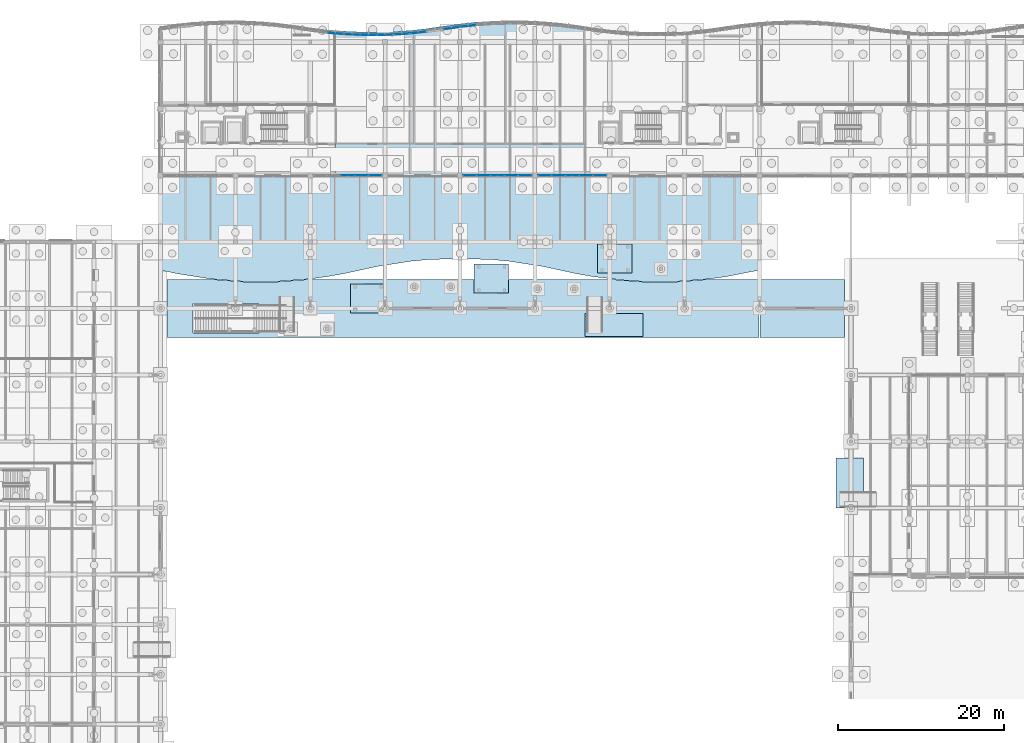
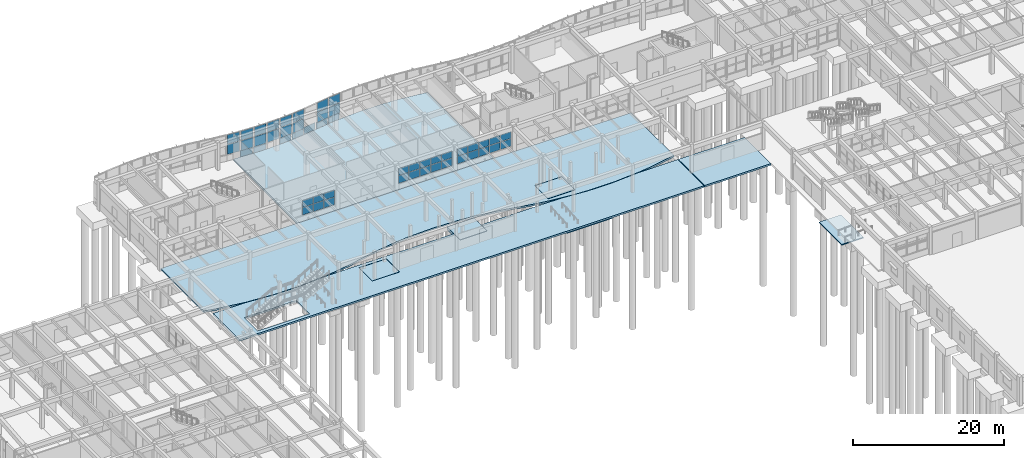
# One storey, part 55 of 99: 49 plates, 9 slabs, 11 elements without a shape of their own.
"""IFC4 building model written with IfcOpenShell, lengths in metres."""

from ifc_helpers import new_model, si_unit, direction, frame, origin, origin_2d, place, context, subcontext, project, spatial, polyline, rectangle, outline, extrude, material, layer, layer_set, type_object, element, aggregate, save


model = new_model("IFC4")

# Units and contexts
model_context = context("Model", 3, precision=1e-05, world=origin(), true_north=direction((0.0, 1.0)))
body_context = subcontext(model_context, "Body", "Model", "MODEL_VIEW")
ifc_project = project(units=[si_unit("LENGTHUNIT", "METRE"), si_unit("AREAUNIT", "SQUARE_METRE"), si_unit("VOLUMEUNIT", "CUBIC_METRE"), si_unit("PLANEANGLEUNIT", "RADIAN"), si_unit("MASSUNIT", "GRAM", prefix="KILO")], contexts=[model_context])

# Site, building, storey
site_placement = place(None, origin())
site = spatial("IfcSite", under=ifc_project, at=site_placement, CompositionType="ELEMENT")
building_placement = place(site_placement, origin())
building = spatial("IfcBuilding", under=site, at=building_placement, Name="Tonlespit Floodbar School", CompositionType="ELEMENT")
storey_placement = place(building_placement, origin())
storey = spatial("IfcBuildingStorey", under=building, at=storey_placement, Name="L00", CompositionType="ELEMENT", Elevation=0.0)

# Curtain wall, plates
ifc_material_1 = material(Name="Anodised Aluminium", Category="aluminium")
ifc_layer_1 = layer(ifc_material_1, 0.159912109375)
ifc_layer_set_1 = layer_set([ifc_layer_1], Name="Anodised Aluminium")
curtain_wall_type_1 = type_object("IfcCurtainWallType", Name="CurtainWall_1900x3300", PredefinedType="NOTDEFINED", material=ifc_layer_set_1)
curtain_wall_1_placement = place(storey_placement, origin())
curtain_wall_1 = element("IfcCurtainWall", 1, at=curtain_wall_1_placement, inside=storey, type_object=curtain_wall_type_1, Name="L00 unitised curtain wall 0013", PredefinedType="NOTDEFINED")
ifc_material_2 = material(Name="Laminated Low-E Glass", Category="glass")
ifc_layer_2 = layer(ifc_material_2, 0.028076171875)
ifc_layer_set_2 = layer_set([ifc_layer_2], Name="Laminated Low-E Glass")
plate_type_1 = type_object("IfcPlateType", Name="CW_Panel_Glaz_28", PredefinedType="CURTAIN_PANEL", material=ifc_layer_set_2)
plate_1_placement = place(storey_placement, frame((71.0, 120.8818359375, 1.014892578125), z_axis=(0.0, 0.0, 1.0), x_axis=(0.999585477883, 0.028790144226, 0.0)))
plate_1 = element("IfcPlate", 2, at=plate_1_placement, type_object=plate_type_1, Name="CW-02 panel 1.1", PredefinedType="CURTAIN_PANEL", context=body_context, shape_type="SweptSolid", body=[
    extrude(rectangle(XDim=1.790771484375, YDim=0.028076171875, at=origin_2d()), origin(), (0.0, 0.0, 1.0), 1.61328125),
])
plate_2_placement = place(storey_placement, frame((71.0, 120.8818359375, 2.693359375), z_axis=(0.0, 0.0, 1.0), x_axis=(0.999585477883, 0.028790144226, 0.0)))
plate_2 = element("IfcPlate", 3, at=plate_2_placement, type_object=plate_type_1, Name="CW-02 panel 1.2", PredefinedType="CURTAIN_PANEL", context=body_context, shape_type="SweptSolid", body=[
    extrude(rectangle(XDim=1.790771484375, YDim=0.028076171875, at=origin_2d()), origin(), (0.0, 0.0, 1.0), 1.481689453125),
])
aggregate(curtain_wall_1, [plate_1, plate_2])

ifc_layer_3 = layer(ifc_material_1, 0.159912109375)
ifc_layer_set_3 = layer_set([ifc_layer_3], Name="Anodised Aluminium")
curtain_wall_type_2 = type_object("IfcCurtainWallType", Name="CurtainWall_1950x3300", PredefinedType="NOTDEFINED", material=ifc_layer_set_3)
curtain_wall_2_placement = place(storey_placement, origin())
curtain_wall_2 = element("IfcCurtainWall", 4, at=curtain_wall_2_placement, inside=storey, type_object=curtain_wall_type_2, Name="L00 unitised curtain wall 0017", PredefinedType="NOTDEFINED")
plate_3_placement = place(storey_placement, frame((81.0, 121.947998046875, 1.014892578125), z_axis=(0.0, 0.0, 1.0), x_axis=(0.994388797288, 0.105787143968, 0.0)))
plate_3 = element("IfcPlate", 5, at=plate_3_placement, type_object=plate_type_1, Name="CW-01 panel 1.1", PredefinedType="CURTAIN_PANEL", context=body_context, shape_type="SweptSolid", body=[
    extrude(rectangle(XDim=1.80126953125, YDim=0.028076171875, at=origin_2d()), origin(), (0.0, 0.0, 1.0), 1.61328125),
])
plate_4_placement = place(storey_placement, frame((81.0, 121.947998046875, 2.693359375), z_axis=(0.0, 0.0, 1.0), x_axis=(0.994388797288, 0.105787143968, 0.0)))
plate_4 = element("IfcPlate", 6, at=plate_4_placement, type_object=plate_type_1, Name="CW-01 panel 1.2", PredefinedType="CURTAIN_PANEL", context=body_context, shape_type="SweptSolid", body=[
    extrude(rectangle(XDim=1.80126953125, YDim=0.028076171875, at=origin_2d()), origin(), (0.0, 0.0, 1.0), 1.481689453125),
])
aggregate(curtain_wall_2, [plate_3, plate_4])

ifc_layer_4 = layer(ifc_material_1, 0.159912109375)
ifc_layer_set_4 = layer_set([ifc_layer_4], Name="Anodised Aluminium")
curtain_wall_type_3 = type_object("IfcCurtainWallType", Name="CurtainWall_8300x2500", PredefinedType="NOTDEFINED", material=ifc_layer_set_4)
curtain_wall_3_placement = place(storey_placement, origin())
curtain_wall_3 = element("IfcCurtainWall", 7, at=curtain_wall_3_placement, inside=storey, type_object=curtain_wall_type_3, Name="L00 unitised curtain wall 0037", PredefinedType="NOTDEFINED")
plate_5_placement = place(storey_placement, frame((87.811767578125, 104.0, 1.01513671875), z_axis=(0.0, 0.0, 1.0), x_axis=(-1.0, 0.0, 0.0)))
plate_5 = element("IfcPlate", 8, at=plate_5_placement, type_object=plate_type_1, Name="CW-03 panel 1.1", PredefinedType="CURTAIN_PANEL", context=body_context, shape_type="SweptSolid", body=[
    extrude(rectangle(XDim=1.56640625, YDim=0.028076171875, at=origin_2d()), origin(), (0.0, 0.0, 1.0), 1.197265625),
])
plate_6_placement = place(storey_placement, frame((87.811767578125, 104.0, 2.27734375), z_axis=(0.0, 0.0, 1.0), x_axis=(-1.0, 0.0, 0.0)))
plate_6 = element("IfcPlate", 9, at=plate_6_placement, type_object=plate_type_1, Name="CW-03 panel 1.2", PredefinedType="CURTAIN_PANEL", context=body_context, shape_type="SweptSolid", body=[
    extrude(rectangle(XDim=1.56640625, YDim=0.028076171875, at=origin_2d()), origin(), (0.0, 0.0, 1.0), 1.09765625),
])
plate_7_placement = place(storey_placement, frame((86.1640625, 104.0, 1.01513671875), z_axis=(0.0, 0.0, 1.0), x_axis=(-1.0, 0.0, 0.0)))
plate_7 = element("IfcPlate", 10, at=plate_7_placement, type_object=plate_type_1, Name="CW-03 panel 2.1", PredefinedType="CURTAIN_PANEL", context=body_context, shape_type="SweptSolid", body=[
    extrude(rectangle(XDim=1.59912109375, YDim=0.028076171875, at=origin_2d()), origin(), (0.0, 0.0, 1.0), 1.197265625),
])
plate_8_placement = place(storey_placement, frame((86.1640625, 104.0, 2.27734375), z_axis=(0.0, 0.0, 1.0), x_axis=(-1.0, 0.0, 0.0)))
plate_8 = element("IfcPlate", 11, at=plate_8_placement, type_object=plate_type_1, Name="CW-03 panel 2.2", PredefinedType="CURTAIN_PANEL", context=body_context, shape_type="SweptSolid", body=[
    extrude(rectangle(XDim=1.59912109375, YDim=0.028076171875, at=origin_2d()), origin(), (0.0, 0.0, 1.0), 1.09765625),
])
plate_9_placement = place(storey_placement, frame((84.5, 104.0, 1.01513671875), z_axis=(0.0, 0.0, 1.0), x_axis=(-1.0, 0.0, 0.0)))
plate_9 = element("IfcPlate", 12, at=plate_9_placement, type_object=plate_type_1, Name="CW-03 panel 3.1", PredefinedType="CURTAIN_PANEL", context=body_context, shape_type="SweptSolid", body=[
    extrude(rectangle(XDim=1.59912109375, YDim=0.028076171875, at=origin_2d()), origin(), (0.0, 0.0, 1.0), 1.197265625),
])
plate_10_placement = place(storey_placement, frame((84.5, 104.0, 2.27734375), z_axis=(0.0, 0.0, 1.0), x_axis=(-1.0, 0.0, 0.0)))
plate_10 = element("IfcPlate", 13, at=plate_10_placement, type_object=plate_type_1, Name="CW-03 panel 3.2", PredefinedType="CURTAIN_PANEL", context=body_context, shape_type="SweptSolid", body=[
    extrude(rectangle(XDim=1.59912109375, YDim=0.028076171875, at=origin_2d()), origin(), (0.0, 0.0, 1.0), 1.09765625),
])
plate_11_placement = place(storey_placement, frame((82.8359375, 104.0, 1.01513671875), z_axis=(0.0, 0.0, 1.0), x_axis=(-1.0, 0.0, 0.0)))
plate_11 = element("IfcPlate", 14, at=plate_11_placement, type_object=plate_type_1, Name="CW-03 panel 4.1", PredefinedType="CURTAIN_PANEL", context=body_context, shape_type="SweptSolid", body=[
    extrude(rectangle(XDim=1.59912109375, YDim=0.028076171875, at=origin_2d()), origin(), (0.0, 0.0, 1.0), 1.197265625),
])
plate_12_placement = place(storey_placement, frame((82.8359375, 104.0, 2.27734375), z_axis=(0.0, 0.0, 1.0), x_axis=(-1.0, 0.0, 0.0)))
plate_12 = element("IfcPlate", 15, at=plate_12_placement, type_object=plate_type_1, Name="CW-03 panel 4.2", PredefinedType="CURTAIN_PANEL", context=body_context, shape_type="SweptSolid", body=[
    extrude(rectangle(XDim=1.59912109375, YDim=0.028076171875, at=origin_2d()), origin(), (0.0, 0.0, 1.0), 1.09765625),
])
plate_13_placement = place(storey_placement, frame((81.188232421875, 104.0, 1.01513671875), z_axis=(0.0, 0.0, 1.0), x_axis=(-1.0, 0.0, 0.0)))
plate_13 = element("IfcPlate", 16, at=plate_13_placement, type_object=plate_type_1, Name="CW-03 panel 5.1", PredefinedType="CURTAIN_PANEL", context=body_context, shape_type="SweptSolid", body=[
    extrude(rectangle(XDim=1.56640625, YDim=0.028076171875, at=origin_2d()), origin(), (0.0, 0.0, 1.0), 1.197265625),
])
plate_14_placement = place(storey_placement, frame((81.188232421875, 104.0, 2.27734375), z_axis=(0.0, 0.0, 1.0), x_axis=(-1.0, 0.0, 0.0)))
plate_14 = element("IfcPlate", 17, at=plate_14_placement, type_object=plate_type_1, Name="CW-03 panel 5.2", PredefinedType="CURTAIN_PANEL", context=body_context, shape_type="SweptSolid", body=[
    extrude(rectangle(XDim=1.56640625, YDim=0.028076171875, at=origin_2d()), origin(), (0.0, 0.0, 1.0), 1.09765625),
])
aggregate(curtain_wall_3, [plate_5, plate_6, plate_7, plate_8, plate_9, plate_10, plate_11, plate_12, plate_13, plate_14])

curtain_wall_4_placement = place(storey_placement, origin())
curtain_wall_4 = element("IfcCurtainWall", 18, at=curtain_wall_4_placement, inside=storey, type_object=curtain_wall_type_2, Name="L00 unitised curtain wall 0010", PredefinedType="NOTDEFINED")
ifc_layer_5 = layer(ifc_material_2, 0.031982421875)
ifc_layer_set_5 = layer_set([ifc_layer_5], Name="Laminated Low-E Glass")
plate_type_2 = type_object("IfcPlateType", Name="CW_Panel_Glaz_32", PredefinedType="CURTAIN_PANEL", material=ifc_layer_set_5)
plate_15_placement = place(storey_placement, frame((65.0, 121.055419921875, 1.014892578125), z_axis=(0.0, 0.0, 1.0), x_axis=(0.996249148412, -0.086531117454, 0.0)))
plate_15 = element("IfcPlate", 19, at=plate_15_placement, type_object=plate_type_2, Name="CW-01 panel 1.1", PredefinedType="CURTAIN_PANEL", context=body_context, shape_type="SweptSolid", body=[
    extrude(rectangle(XDim=1.797607421875, YDim=0.031982421875, at=origin_2d()), origin(), (0.0, 0.0, 1.0), 1.61328125),
])
plate_16_placement = place(storey_placement, frame((65.0, 121.055419921875, 2.693359375), z_axis=(0.0, 0.0, 1.0), x_axis=(0.996249148412, -0.086531117454, 0.0)))
plate_16 = element("IfcPlate", 20, at=plate_16_placement, type_object=plate_type_2, Name="CW-01 panel 1.2", PredefinedType="CURTAIN_PANEL", context=body_context, shape_type="SweptSolid", body=[
    extrude(rectangle(XDim=1.797607421875, YDim=0.031982421875, at=origin_2d()), origin(), (0.0, 0.0, 1.0), 1.481689453125),
])
aggregate(curtain_wall_4, [plate_15, plate_16])

curtain_wall_5_placement = place(storey_placement, origin())
curtain_wall_5 = element("IfcCurtainWall", 21, at=curtain_wall_5_placement, inside=storey, type_object=curtain_wall_type_1, Name="L00 unitised curtain wall 0014", PredefinedType="NOTDEFINED")
plate_17_placement = place(storey_placement, frame((73.0, 120.978271484375, 1.014892578125), z_axis=(0.0, 0.0, 1.0), x_axis=(0.99773010165, 0.067339767311, 0.0)))
plate_17 = element("IfcPlate", 22, at=plate_17_placement, type_object=plate_type_2, Name="CW-02 panel 1.1", PredefinedType="CURTAIN_PANEL", context=body_context, shape_type="SweptSolid", body=[
    extrude(rectangle(XDim=1.794677734375, YDim=0.031982421875, at=origin_2d()), origin(), (0.0, 0.0, 1.0), 1.61328125),
])
plate_18_placement = place(storey_placement, frame((73.0, 120.978271484375, 2.693359375), z_axis=(0.0, 0.0, 1.0), x_axis=(0.99773010165, 0.067339767311, 0.0)))
plate_18 = element("IfcPlate", 23, at=plate_18_placement, type_object=plate_type_2, Name="CW-02 panel 1.2", PredefinedType="CURTAIN_PANEL", context=body_context, shape_type="SweptSolid", body=[
    extrude(rectangle(XDim=1.794677734375, YDim=0.031982421875, at=origin_2d()), origin(), (0.0, 0.0, 1.0), 1.481689453125),
])
aggregate(curtain_wall_5, [plate_17, plate_18])

curtain_wall_6_placement = place(storey_placement, origin())
curtain_wall_6 = element("IfcCurtainWall", 24, at=curtain_wall_6_placement, inside=storey, type_object=curtain_wall_type_3, Name="L00 unitised curtain wall 0038", PredefinedType="NOTDEFINED")
plate_19_placement = place(storey_placement, frame((69.811767578125, 104.0, 1.01513671875), z_axis=(0.0, 0.0, 1.0), x_axis=(-1.0, 0.0, 0.0)))
plate_19 = element("IfcPlate", 25, at=plate_19_placement, type_object=plate_type_2, Name="CW-03 panel 1.1", PredefinedType="CURTAIN_PANEL", context=body_context, shape_type="SweptSolid", body=[
    extrude(rectangle(XDim=1.56640625, YDim=0.031982421875, at=origin_2d()), origin(), (0.0, 0.0, 1.0), 1.197265625),
])
plate_20_placement = place(storey_placement, frame((69.811767578125, 104.0, 2.27734375), z_axis=(0.0, 0.0, 1.0), x_axis=(-1.0, 0.0, 0.0)))
plate_20 = element("IfcPlate", 26, at=plate_20_placement, type_object=plate_type_2, Name="CW-03 panel 1.2", PredefinedType="CURTAIN_PANEL", context=body_context, shape_type="SweptSolid", body=[
    extrude(rectangle(XDim=1.56640625, YDim=0.031982421875, at=origin_2d()), origin(), (0.0, 0.0, 1.0), 1.09765625),
])
plate_21_placement = place(storey_placement, frame((68.1640625, 104.0, 1.01513671875), z_axis=(0.0, 0.0, 1.0), x_axis=(-1.0, 0.0, 0.0)))
plate_21 = element("IfcPlate", 27, at=plate_21_placement, type_object=plate_type_2, Name="CW-03 panel 2.1", PredefinedType="CURTAIN_PANEL", context=body_context, shape_type="SweptSolid", body=[
    extrude(rectangle(XDim=1.59912109375, YDim=0.031982421875, at=origin_2d()), origin(), (0.0, 0.0, 1.0), 1.197265625),
])
plate_22_placement = place(storey_placement, frame((68.1640625, 104.0, 2.27734375), z_axis=(0.0, 0.0, 1.0), x_axis=(-1.0, 0.0, 0.0)))
plate_22 = element("IfcPlate", 28, at=plate_22_placement, type_object=plate_type_2, Name="CW-03 panel 2.2", PredefinedType="CURTAIN_PANEL", context=body_context, shape_type="SweptSolid", body=[
    extrude(rectangle(XDim=1.59912109375, YDim=0.031982421875, at=origin_2d()), origin(), (0.0, 0.0, 1.0), 1.09765625),
])
plate_23_placement = place(storey_placement, frame((66.5, 104.0, 1.01513671875), z_axis=(0.0, 0.0, 1.0), x_axis=(-1.0, 0.0, 0.0)))
plate_23 = element("IfcPlate", 29, at=plate_23_placement, type_object=plate_type_2, Name="CW-03 panel 3.1", PredefinedType="CURTAIN_PANEL", context=body_context, shape_type="SweptSolid", body=[
    extrude(rectangle(XDim=1.59912109375, YDim=0.031982421875, at=origin_2d()), origin(), (0.0, 0.0, 1.0), 1.197265625),
])
plate_24_placement = place(storey_placement, frame((66.5, 104.0, 2.27734375), z_axis=(0.0, 0.0, 1.0), x_axis=(-1.0, 0.0, 0.0)))
plate_24 = element("IfcPlate", 30, at=plate_24_placement, type_object=plate_type_2, Name="CW-03 panel 3.2", PredefinedType="CURTAIN_PANEL", context=body_context, shape_type="SweptSolid", body=[
    extrude(rectangle(XDim=1.59912109375, YDim=0.031982421875, at=origin_2d()), origin(), (0.0, 0.0, 1.0), 1.09765625),
])
aggregate(curtain_wall_6, [plate_19, plate_20, plate_21, plate_22, plate_23, plate_24])

curtain_wall_7_placement = place(storey_placement, origin())
curtain_wall_7 = element("IfcCurtainWall", 31, at=curtain_wall_7_placement, inside=storey, type_object=curtain_wall_type_1, Name="L00 unitised curtain wall 0011", PredefinedType="NOTDEFINED")
ifc_layer_6 = layer(ifc_material_2, 0.035888671875)
ifc_layer_set_6 = layer_set([ifc_layer_6], Name="Laminated Low-E Glass")
plate_type_3 = type_object("IfcPlateType", Name="CW_Panel_Glaz_36", PredefinedType="CURTAIN_PANEL", material=ifc_layer_set_6)
plate_25_placement = place(storey_placement, frame((67.0, 120.92041015625, 1.014892578125), z_axis=(0.0, 0.0, 1.0), x_axis=(0.998841500616, -0.048121270216, 0.0)))
plate_25 = element("IfcPlate", 32, at=plate_25_placement, type_object=plate_type_3, Name="CW-02 panel 1.1", PredefinedType="CURTAIN_PANEL", context=body_context, shape_type="SweptSolid", body=[
    extrude(rectangle(XDim=1.792236328125, YDim=0.035888671875, at=origin_2d()), origin(), (0.0, 0.0, 1.0), 1.61328125),
])
plate_26_placement = place(storey_placement, frame((67.0, 120.92041015625, 2.693359375), z_axis=(0.0, 0.0, 1.0), x_axis=(0.998841500616, -0.048121270216, 0.0)))
plate_26 = element("IfcPlate", 33, at=plate_26_placement, type_object=plate_type_3, Name="CW-02 panel 1.2", PredefinedType="CURTAIN_PANEL", context=body_context, shape_type="SweptSolid", body=[
    extrude(rectangle(XDim=1.792236328125, YDim=0.035888671875, at=origin_2d()), origin(), (0.0, 0.0, 1.0), 1.481689453125),
])
aggregate(curtain_wall_7, [plate_25, plate_26])

curtain_wall_8_placement = place(storey_placement, origin())
curtain_wall_8 = element("IfcCurtainWall", 34, at=curtain_wall_8_placement, inside=storey, type_object=curtain_wall_type_2, Name="L00 unitised curtain wall 0015", PredefinedType="NOTDEFINED")
plate_27_placement = place(storey_placement, frame((75.0, 121.152099609375, 1.014892578125), z_axis=(0.0, 0.0, 1.0), x_axis=(0.994388797288, 0.105787143968, 0.0)))
plate_27 = element("IfcPlate", 35, at=plate_27_placement, type_object=plate_type_3, Name="CW-01 panel 1.1", PredefinedType="CURTAIN_PANEL", context=body_context, shape_type="SweptSolid", body=[
    extrude(rectangle(XDim=1.80126953125, YDim=0.035888671875, at=origin_2d()), origin(), (0.0, 0.0, 1.0), 1.61328125),
])
plate_28_placement = place(storey_placement, frame((75.0, 121.152099609375, 2.693359375), z_axis=(0.0, 0.0, 1.0), x_axis=(0.994388797288, 0.105787143968, 0.0)))
plate_28 = element("IfcPlate", 36, at=plate_28_placement, type_object=plate_type_3, Name="CW-01 panel 1.2", PredefinedType="CURTAIN_PANEL", context=body_context, shape_type="SweptSolid", body=[
    extrude(rectangle(XDim=1.80126953125, YDim=0.035888671875, at=origin_2d()), origin(), (0.0, 0.0, 1.0), 1.481689453125),
])
aggregate(curtain_wall_8, [plate_27, plate_28])

curtain_wall_9_placement = place(storey_placement, origin())
curtain_wall_9 = element("IfcCurtainWall", 37, at=curtain_wall_9_placement, inside=storey, type_object=curtain_wall_type_1, Name="L00 unitised curtain wall 0012", PredefinedType="NOTDEFINED")
ifc_layer_7 = layer(ifc_material_2, 0.0419921875)
ifc_layer_set_7 = layer_set([ifc_layer_7], Name="Laminated Low-E Glass")
plate_type_4 = type_object("IfcPlateType", Name="CW_Panel_Glaz_42", PredefinedType="CURTAIN_PANEL", material=ifc_layer_set_7)
plate_29_placement = place(storey_placement, frame((69.0, 120.862548828125, 1.014892578125), z_axis=(0.0, 0.0, 1.0), x_axis=(0.999954083024, -0.009582893292, 0.0)))
plate_29 = element("IfcPlate", 38, at=plate_29_placement, type_object=plate_type_4, Name="CW-02 panel 1.1", PredefinedType="CURTAIN_PANEL", context=body_context, shape_type="SweptSolid", body=[
    extrude(rectangle(XDim=1.7900390625, YDim=0.0419921875, at=origin_2d()), origin(), (0.0, 0.0, 1.0), 1.61328125),
])
plate_30_placement = place(storey_placement, frame((69.0, 120.862548828125, 2.693359375), z_axis=(0.0, 0.0, 1.0), x_axis=(0.999954083024, -0.009582893292, 0.0)))
plate_30 = element("IfcPlate", 39, at=plate_30_placement, type_object=plate_type_4, Name="CW-02 panel 1.2", PredefinedType="CURTAIN_PANEL", context=body_context, shape_type="SweptSolid", body=[
    extrude(rectangle(XDim=1.7900390625, YDim=0.0419921875, at=origin_2d()), origin(), (0.0, 0.0, 1.0), 1.481689453125),
])
aggregate(curtain_wall_9, [plate_29, plate_30])

curtain_wall_10_placement = place(storey_placement, origin())
curtain_wall_10 = element("IfcCurtainWall", 40, at=curtain_wall_10_placement, inside=storey, type_object=curtain_wall_type_2, Name="L00 unitised curtain wall 0016", PredefinedType="NOTDEFINED")
plate_31_placement = place(storey_placement, frame((79.0, 121.69580078125, 1.014892578125), z_axis=(0.0, 0.0, 1.0), x_axis=(0.989541561858, 0.144248041079, 0.0)))
plate_31 = element("IfcPlate", 41, at=plate_31_placement, type_object=plate_type_4, Name="CW-01 panel 1.1", PredefinedType="CURTAIN_PANEL", context=body_context, shape_type="SweptSolid", body=[
    extrude(rectangle(XDim=1.81103515625, YDim=0.0419921875, at=origin_2d()), origin(), (0.0, 0.0, 1.0), 1.61328125),
])
plate_32_placement = place(storey_placement, frame((79.0, 121.69580078125, 2.693359375), z_axis=(0.0, 0.0, 1.0), x_axis=(0.989541561858, 0.144248041079, 0.0)))
plate_32 = element("IfcPlate", 42, at=plate_32_placement, type_object=plate_type_4, Name="CW-01 panel 1.2", PredefinedType="CURTAIN_PANEL", context=body_context, shape_type="SweptSolid", body=[
    extrude(rectangle(XDim=1.81103515625, YDim=0.0419921875, at=origin_2d()), origin(), (0.0, 0.0, 1.0), 1.481689453125),
])
aggregate(curtain_wall_10, [plate_31, plate_32])

curtain_wall_11_placement = place(storey_placement, origin())
curtain_wall_11 = element("IfcCurtainWall", 43, at=curtain_wall_11_placement, inside=storey, type_object=curtain_wall_type_3, Name="L00 unitised curtain wall 0036", PredefinedType="NOTDEFINED")
plate_33_placement = place(storey_placement, frame((96.811767578125, 104.0, 1.01513671875), z_axis=(0.0, 0.0, 1.0), x_axis=(-1.0, 0.0, 0.0)))
plate_33 = element("IfcPlate", 44, at=plate_33_placement, type_object=plate_type_4, Name="CW-03 panel 1.1", PredefinedType="CURTAIN_PANEL", context=body_context, shape_type="SweptSolid", body=[
    extrude(rectangle(XDim=1.56640625, YDim=0.0419921875, at=origin_2d()), origin(), (0.0, 0.0, 1.0), 1.197265625),
])
plate_34_placement = place(storey_placement, frame((96.811767578125, 104.0, 2.27734375), z_axis=(0.0, 0.0, 1.0), x_axis=(-1.0, 0.0, 0.0)))
plate_34 = element("IfcPlate", 45, at=plate_34_placement, type_object=plate_type_4, Name="CW-03 panel 1.2", PredefinedType="CURTAIN_PANEL", context=body_context, shape_type="SweptSolid", body=[
    extrude(rectangle(XDim=1.56640625, YDim=0.0419921875, at=origin_2d()), origin(), (0.0, 0.0, 1.0), 1.09765625),
])
plate_35_placement = place(storey_placement, frame((95.1640625, 104.0, 1.01513671875), z_axis=(0.0, 0.0, 1.0), x_axis=(-1.0, 0.0, 0.0)))
plate_35 = element("IfcPlate", 46, at=plate_35_placement, type_object=plate_type_4, Name="CW-03 panel 2.1", PredefinedType="CURTAIN_PANEL", context=body_context, shape_type="SweptSolid", body=[
    extrude(rectangle(XDim=1.59912109375, YDim=0.0419921875, at=origin_2d()), origin(), (0.0, 0.0, 1.0), 1.197265625),
])
plate_36_placement = place(storey_placement, frame((95.1640625, 104.0, 2.27734375), z_axis=(0.0, 0.0, 1.0), x_axis=(-1.0, 0.0, 0.0)))
plate_36 = element("IfcPlate", 47, at=plate_36_placement, type_object=plate_type_4, Name="CW-03 panel 2.2", PredefinedType="CURTAIN_PANEL", context=body_context, shape_type="SweptSolid", body=[
    extrude(rectangle(XDim=1.59912109375, YDim=0.0419921875, at=origin_2d()), origin(), (0.0, 0.0, 1.0), 1.09765625),
])
plate_37_placement = place(storey_placement, frame((93.5, 104.0, 1.01513671875), z_axis=(0.0, 0.0, 1.0), x_axis=(-1.0, 0.0, 0.0)))
plate_37 = element("IfcPlate", 48, at=plate_37_placement, type_object=plate_type_4, Name="CW-03 panel 3.1", PredefinedType="CURTAIN_PANEL", context=body_context, shape_type="SweptSolid", body=[
    extrude(rectangle(XDim=1.59912109375, YDim=0.0419921875, at=origin_2d()), origin(), (0.0, 0.0, 1.0), 1.197265625),
])
plate_38_placement = place(storey_placement, frame((93.5, 104.0, 2.27734375), z_axis=(0.0, 0.0, 1.0), x_axis=(-1.0, 0.0, 0.0)))
plate_38 = element("IfcPlate", 49, at=plate_38_placement, type_object=plate_type_4, Name="CW-03 panel 3.2", PredefinedType="CURTAIN_PANEL", context=body_context, shape_type="SweptSolid", body=[
    extrude(rectangle(XDim=1.59912109375, YDim=0.0419921875, at=origin_2d()), origin(), (0.0, 0.0, 1.0), 1.09765625),
])
plate_39_placement = place(storey_placement, frame((91.8359375, 104.0, 1.01513671875), z_axis=(0.0, 0.0, 1.0), x_axis=(-1.0, 0.0, 0.0)))
plate_39 = element("IfcPlate", 50, at=plate_39_placement, type_object=plate_type_4, Name="CW-03 panel 4.1", PredefinedType="CURTAIN_PANEL", context=body_context, shape_type="SweptSolid", body=[
    extrude(rectangle(XDim=1.59912109375, YDim=0.0419921875, at=origin_2d()), origin(), (0.0, 0.0, 1.0), 1.197265625),
])
plate_40_placement = place(storey_placement, frame((91.8359375, 104.0, 2.27734375), z_axis=(0.0, 0.0, 1.0), x_axis=(-1.0, 0.0, 0.0)))
plate_40 = element("IfcPlate", 51, at=plate_40_placement, type_object=plate_type_4, Name="CW-03 panel 4.2", PredefinedType="CURTAIN_PANEL", context=body_context, shape_type="SweptSolid", body=[
    extrude(rectangle(XDim=1.59912109375, YDim=0.0419921875, at=origin_2d()), origin(), (0.0, 0.0, 1.0), 1.09765625),
])
plate_41_placement = place(storey_placement, frame((90.188232421875, 104.0, 1.01513671875), z_axis=(0.0, 0.0, 1.0), x_axis=(-1.0, 0.0, 0.0)))
plate_41 = element("IfcPlate", 52, at=plate_41_placement, type_object=plate_type_4, Name="CW-03 panel 5.1", PredefinedType="CURTAIN_PANEL", context=body_context, shape_type="SweptSolid", body=[
    extrude(rectangle(XDim=1.56640625, YDim=0.0419921875, at=origin_2d()), origin(), (0.0, 0.0, 1.0), 1.197265625),
])
plate_42_placement = place(storey_placement, frame((90.188232421875, 104.0, 2.27734375), z_axis=(0.0, 0.0, 1.0), x_axis=(-1.0, 0.0, 0.0)))
plate_42 = element("IfcPlate", 53, at=plate_42_placement, type_object=plate_type_4, Name="CW-03 panel 5.2", PredefinedType="CURTAIN_PANEL", context=body_context, shape_type="SweptSolid", body=[
    extrude(rectangle(XDim=1.56640625, YDim=0.0419921875, at=origin_2d()), origin(), (0.0, 0.0, 1.0), 1.09765625),
])
aggregate(curtain_wall_11, [plate_33, plate_34, plate_35, plate_36, plate_37, plate_38, plate_39, plate_40, plate_41, plate_42])

# Plates
ifc_material_3 = material(Name="White Architectural Aluminium", Category="aluminium")
ifc_layer_8 = layer(ifc_material_3, 0.06494140625)
ifc_layer_set_8 = layer_set([ifc_layer_8], Name="White Architectural Aluminium")
plate_type_5 = type_object("IfcPlateType", Name="FacadeRibbon_White_65", PredefinedType="SHEET", material=ifc_layer_set_8)
plate_43_placement = place(storey_placement, frame((67.0087890625, 121.10205078125, -0.1201171875), z_axis=(0.0, 0.0, 1.0), x_axis=(0.998842769234, -0.048094930587, 0.0)))
element("IfcPlate", 54, at=plate_43_placement, inside=storey, type_object=plate_type_5, Name="L00 flowing white street spandrel ribbon 0012", PredefinedType="SHEET", context=body_context, shape_type="SweptSolid", body=[
    extrude(rectangle(XDim=1.84228515625, YDim=0.06494140625, at=origin_2d()), origin(), (0.0, 0.0, 1.0), 1.070068359375),
])
plate_44_placement = place(storey_placement, frame((69.001708984375, 121.044677734375, -0.1201171875), z_axis=(0.0, 0.0, 1.0), x_axis=(0.999953926969, -0.009599163462, 0.0)))
element("IfcPlate", 55, at=plate_44_placement, inside=storey, type_object=plate_type_5, Name="L00 flowing white street spandrel ribbon 0013", PredefinedType="SHEET", context=body_context, shape_type="SweptSolid", body=[
    extrude(rectangle(XDim=1.840087890625, YDim=0.06494140625, at=origin_2d()), origin(), (0.0, 0.0, 1.0), 1.070068359375),
])
plate_45_placement = place(storey_placement, frame((72.98779296875, 121.159912109375, -0.1201171875), z_axis=(0.0, 0.0, 1.0), x_axis=(0.997729639049, 0.067346621018, 0.0)))
element("IfcPlate", 56, at=plate_45_placement, inside=storey, type_object=plate_type_5, Name="L00 flowing white street spandrel ribbon 0015", PredefinedType="SHEET", context=body_context, shape_type="SweptSolid", body=[
    extrude(rectangle(XDim=1.844482421875, YDim=0.06494140625, at=origin_2d()), origin(), (0.0, 0.0, 1.0), 1.070068359375),
])
plate_46_placement = place(storey_placement, frame((74.980712890625, 121.3330078125, -0.1201171875), z_axis=(0.0, 0.0, 1.0), x_axis=(0.99439234017, 0.105753835922, 0.0)))
element("IfcPlate", 57, at=plate_46_placement, inside=storey, type_object=plate_type_5, Name="L00 flowing white street spandrel ribbon 0016", PredefinedType="SHEET", context=body_context, shape_type="SweptSolid", body=[
    extrude(rectangle(XDim=1.851318359375, YDim=0.06494140625, at=origin_2d()), origin(), (0.0, 0.0, 1.0), 1.070068359375),
])
plate_47_placement = place(storey_placement, frame((76.970947265625, 121.60400390625, -0.1201171875), z_axis=(0.0, 0.0, 1.0), x_axis=(0.989537627347, 0.144275029245, 0.0)))
element("IfcPlate", 58, at=plate_47_placement, inside=storey, type_object=plate_type_5, Name="L00 flowing white street spandrel ribbon 0017", PredefinedType="SHEET", context=body_context, shape_type="SweptSolid", body=[
    extrude(rectangle(XDim=1.861083984375, YDim=0.06494140625, at=origin_2d()), origin(), (0.0, 0.0, 1.0), 1.1201171875),
])
plate_48_placement = place(storey_placement, frame((78.9736328125, 121.8759765625, -0.1201171875), z_axis=(0.0, 0.0, 1.0), x_axis=(0.989537627347, 0.144275029245, 0.0)))
element("IfcPlate", 59, at=plate_48_placement, inside=storey, type_object=plate_type_5, Name="L00 flowing white street spandrel ribbon 0018", PredefinedType="SHEET", context=body_context, shape_type="SweptSolid", body=[
    extrude(rectangle(XDim=1.861083984375, YDim=0.06494140625, at=origin_2d()), origin(), (0.0, 0.0, 1.0), 1.070068359375),
])
plate_49_placement = place(storey_placement, frame((80.980712890625, 122.12890625, -0.1201171875), z_axis=(0.0, 0.0, 1.0), x_axis=(0.99439234017, 0.105753835922, 0.0)))
element("IfcPlate", 60, at=plate_49_placement, inside=storey, type_object=plate_type_5, Name="L00 flowing white street spandrel ribbon 0019", PredefinedType="SHEET", context=body_context, shape_type="SweptSolid", body=[
    extrude(rectangle(XDim=1.851318359375, YDim=0.06494140625, at=origin_2d()), origin(), (0.0, 0.0, 1.0), 1.070068359375),
])

# Slabs
ifc_material_4 = material(Name="Concrete C40/50", Category="concrete")
ifc_layer_9 = layer(ifc_material_4, 0.159912109375)
ifc_layer_set_9 = layer_set([ifc_layer_9], Name="Concrete C40/50")
slab_type_1 = type_object("IfcSlabType", Name="Slab_Apron_RC_160", PredefinedType="BASESLAB", material=ifc_layer_set_9)
slab_1_placement = place(storey_placement, frame((0.0, 0.0, -0.4599609375)))
element("IfcSlab", 61, at=slab_1_placement, inside=storey, type_object=slab_type_1, Name="Entrance ramp lower apron APR-N2", PredefinedType="BASESLAB", context=body_context, shape_type="SweptSolid", body=[
    extrude(outline(polyline([(95.0, 84.60009765625), (102.0, 84.60009765625), (102.0, 87.39990234375), (95.0, 87.39990234375), (95.0, 84.60009765625)])), origin(), (0.0, 0.0, 1.0), 0.159912109375),
])
slab_2_placement = place(storey_placement, frame((0.0, 0.0, -0.4599609375)))
element("IfcSlab", 62, at=slab_2_placement, inside=storey, type_object=slab_type_1, Name="Entrance ramp lower apron APR-E1", PredefinedType="BASESLAB", context=body_context, shape_type="SweptSolid", body=[
    extrude(outline(polyline([(125.199951171875, 64.0), (128.5, 64.0), (128.5, 70.0), (125.199951171875, 70.0), (125.199951171875, 64.0)])), origin(), (0.0, 0.0, 1.0), 0.159912109375),
])
ifc_layer_10 = layer(ifc_material_4, 0.300048828125)
ifc_layer_set_10 = layer_set([ifc_layer_10], Name="Concrete C40/50")
slab_type_2 = type_object("IfcSlabType", Name="Slab_Base_RC_200", PredefinedType="BASESLAB", material=ifc_layer_set_10)
slab_3_placement = place(storey_placement, frame((0.0, 0.0, -0.300048828125)))
element("IfcSlab", 63, at=slab_3_placement, inside=storey, type_object=slab_type_2, Name="L00 V1 L00 central curved spine slab", PredefinedType="BASESLAB", context=body_context, shape_type="SweptSolid", body=[
    extrude(outline(polyline([(65.0, 121.045654296875), (69.0, 120.85302734375), (73.0, 120.968505859375), (75.0, 121.142333984375), (81.0, 121.957763671875), (85.0, 122.227783203125), (89.0, 122.189208984375), (91.0, 122.05419921875), (95.0, 121.550048828125), (95.0, 104.0), (65.0, 104.0), (65.0, 121.045654296875)])), origin(), (0.0, 0.0, 1.0), 0.300048828125),
])
ifc_layer_11 = layer(ifc_material_4, 0.27001953125)
ifc_layer_set_11 = layer_set([ifc_layer_11], Name="Concrete C40/50")
slab_type_3 = type_object("IfcSlabType", Name="Slab_Colonnade_RC_180", PredefinedType="FLOOR", material=ifc_layer_set_11)
slab_4_placement = place(storey_placement, frame((0.0, 0.0, -0.27001953125)))
element("IfcSlab", 64, at=slab_4_placement, inside=storey, type_object=slab_type_3, Name="L00 V1 curved courtyard gallery step 0", PredefinedType="FLOOR", context=body_context, shape_type="SweptSolid", body=[
    extrude(outline(polyline([(44.0, 104.0), (116.0, 104.0), (116.0, 92.60009765625), (112.0, 91.8154296875), (110.0, 91.543701171875), (106.0, 91.23486328125), (102.0, 91.23486328125), (100.0, 91.3505859375), (96.0, 91.8154296875), (94.0, 92.1669921875), (90.0, 93.032958984375), (86.0, 93.65625), (84.0, 93.849609375), (80.0, 94.003662109375), (76.0, 93.849609375), (74.0, 93.65625), (70.0, 93.032958984375), (66.0, 92.1669921875), (64.0, 91.8154296875), (62.0, 91.543701171875), (58.0, 91.23486328125), (54.0, 91.23486328125), (50.0, 91.543701171875), (46.0, 92.1669921875), (44.0, 92.60009765625), (44.0, 104.0)]), holes=[polyline([(100.699951171875, 95.75), (96.510986328125, 95.773193359375), (96.5068359375, 92.23095703125), (100.68896484375, 92.226806640625), (100.699951171875, 95.75)])]), origin(), (0.0, 0.0, 1.0), 0.27001953125),
])
slab_5_placement = place(storey_placement, frame((0.0, 0.0, -0.27001953125)))
element("IfcSlab", 65, at=slab_5_placement, inside=storey, type_object=slab_type_3, Name="L00 V5 north square west colonnade deck", PredefinedType="FLOOR", context=body_context, shape_type="SweptSolid", body=[
    extrude(outline(polyline([(115.9599609375, 84.5), (44.800048828125, 84.5), (44.800048828125, 91.5), (50.037353515625, 91.5), (53.997802734375, 91.195068359375), (55.999267578125, 91.156494140625), (58.002197265625, 91.195068359375), (61.962646484375, 91.5), (81.659912109375, 91.5), (81.68994140625, 89.820068359375), (85.841552734375, 89.822265625), (85.860107421875, 91.5), (98.037353515625, 91.5), (101.997802734375, 91.195068359375), (103.999267578125, 91.156494140625), (106.002197265625, 91.195068359375), (109.962646484375, 91.5), (115.9599609375, 91.5), (115.9599609375, 84.5)]), holes=[polyline([(71.02001953125, 90.949951171875), (66.8310546875, 90.97314453125), (66.826904296875, 87.430908203125), (71.009033203125, 87.4267578125), (71.02001953125, 90.949951171875)]), polyline([(55.860107421875, 88.550048828125), (47.91845703125, 88.57763671875), (47.90234375, 85.03857421875), (55.841552734375, 85.022216796875), (55.860107421875, 88.550048828125)])]), origin(), (0.0, 0.0, 1.0), 0.27001953125),
])
slab_6_placement = place(storey_placement, frame((0.0, 0.0, -0.27001953125)))
element("IfcSlab", 66, at=slab_6_placement, inside=storey, type_object=slab_type_3, Name="L00 V5 north square east colonnade deck", PredefinedType="FLOOR", context=body_context, shape_type="SweptSolid", body=[
    extrude(outline(polyline([(126.199951171875, 91.5), (126.199951171875, 84.5), (116.0400390625, 84.5), (116.0400390625, 91.5), (126.199951171875, 91.5)])), origin(), (0.0, 0.0, 1.0), 0.27001953125),
])
ifc_layer_12 = layer(ifc_material_4, 0.449951171875)
ifc_layer_set_12 = layer_set([ifc_layer_12], Name="Concrete C40/50")
slab_type_4 = type_object("IfcSlabType", Name="Slab_StairPlinth_RC450", PredefinedType="BASESLAB", material=ifc_layer_set_12)
slab_7_placement = place(storey_placement, frame((0.0, 0.0, -0.455078125)))
element("IfcSlab", 67, at=slab_7_placement, inside=storey, type_object=slab_type_4, Name="Stair ST-CT2 foundation plinth", PredefinedType="BASESLAB", context=body_context, shape_type="SweptSolid", body=[
    extrude(outline(polyline([(66.85009765625, 87.449951171875), (70.989990234375, 87.449951171875), (70.989990234375, 90.949951171875), (66.85009765625, 90.949951171875), (66.85009765625, 87.449951171875)])), origin(), (0.0, 0.0, 1.0), 0.4501953125),
])
slab_8_placement = place(storey_placement, frame((0.0, 0.0, -0.455078125)))
element("IfcSlab", 68, at=slab_8_placement, inside=storey, type_object=slab_type_4, Name="Stair ST-CT3 foundation plinth", PredefinedType="BASESLAB", context=body_context, shape_type="SweptSolid", body=[
    extrude(outline(polyline([(81.68994140625, 89.85009765625), (85.830078125, 89.85009765625), (85.830078125, 93.35009765625), (81.68994140625, 93.35009765625), (81.68994140625, 89.85009765625)])), origin(), (0.0, 0.0, 1.0), 0.4501953125),
])
slab_9_placement = place(storey_placement, frame((0.0, 0.0, -0.455078125)))
element("IfcSlab", 69, at=slab_9_placement, inside=storey, type_object=slab_type_4, Name="Stair ST-CT4 foundation plinth", PredefinedType="BASESLAB", context=body_context, shape_type="SweptSolid", body=[
    extrude(outline(polyline([(96.530029296875, 92.25), (100.669921875, 92.25), (100.669921875, 95.75), (96.530029296875, 95.75), (96.530029296875, 92.25)])), origin(), (0.0, 0.0, 1.0), 0.4501953125),
])

save(model, "model.ifc")
